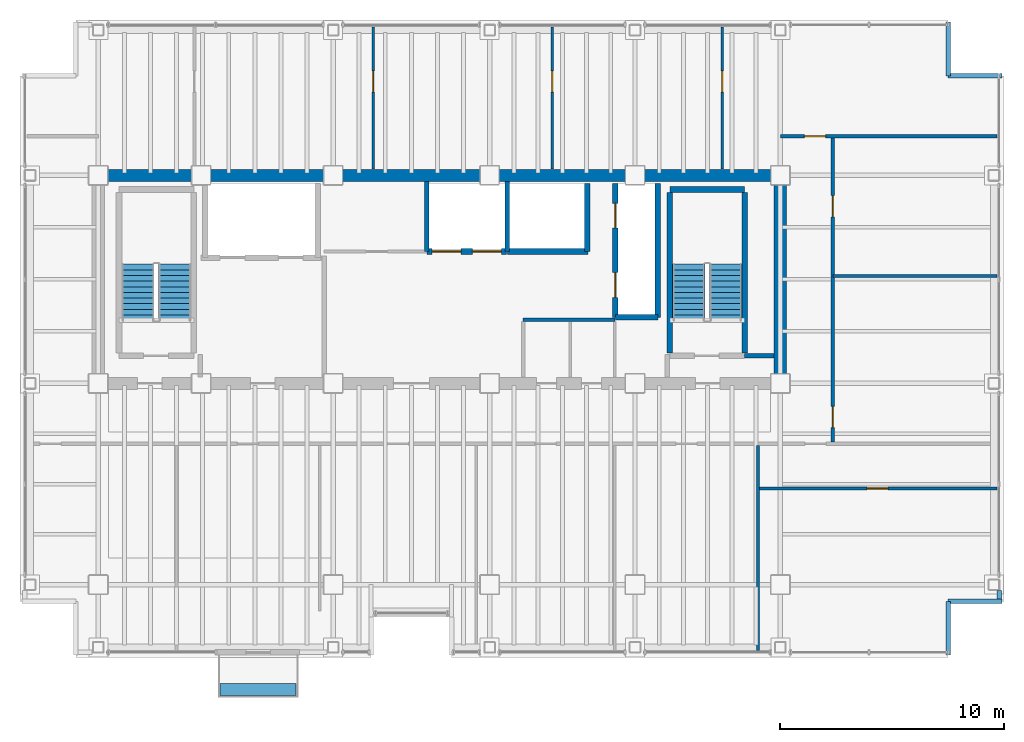
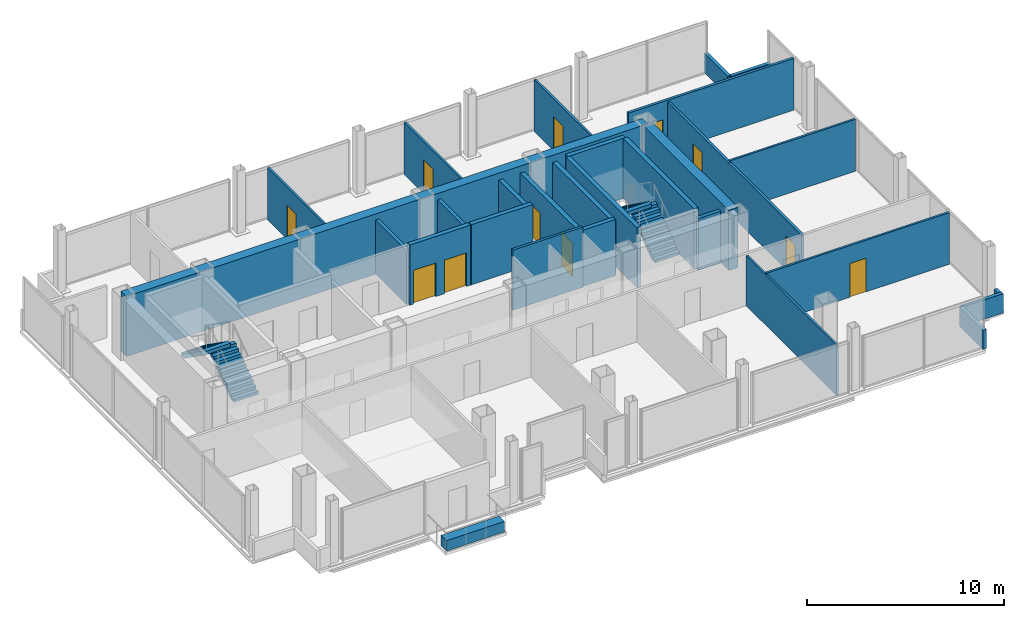
# One storey, part 14 of 15: 28 walls, 11 doors, 4 stair flights, 1 discrete accessory, 11 openings, 2 elements without a shape of their own.
"""IFC4 building model written with IfcOpenShell, lengths in metres."""

from ifc_helpers import new_model, si_unit, direction, frame, frame_2d, origin, origin_2d, place, context, subcontext, project, spatial, polyline, rectangle, outline, extrude, material, layer, layer_set, type_object, element, fill, aggregate, save


model = new_model("IFC4")

# Units and contexts
model_context = context("Model", 3, precision=1e-05, world=origin(), true_north=direction((0.0, 1.0)))
body_context = subcontext(model_context, "Body", "Model", "MODEL_VIEW")
ifc_project = project(units=[si_unit("LENGTHUNIT", "METRE"), si_unit("AREAUNIT", "SQUARE_METRE"), si_unit("VOLUMEUNIT", "CUBIC_METRE"), si_unit("PLANEANGLEUNIT", "RADIAN"), si_unit("MASSUNIT", "GRAM", prefix="KILO")], contexts=[model_context])

# Site, building, storey
site_placement = place(None, origin())
site = spatial("IfcSite", under=ifc_project, at=site_placement, CompositionType="ELEMENT")
building_placement = place(site_placement, origin())
building = spatial("IfcBuilding", under=site, at=building_placement, Name="Noeulbin Bourse Tower", CompositionType="ELEMENT")
storey_placement = place(building_placement, frame((0.0, 0.0, 173.39990234375)))
storey = spatial("IfcBuildingStorey", under=building, at=storey_placement, Name="L43", CompositionType="ELEMENT", Elevation=173.39990234375)

# Walls
ifc_material_1 = material(Name="Concrete C60/75", Category="concrete")
ifc_layer_1 = layer(ifc_material_1, 0.550048828125)
ifc_layer_set_1 = layer_set([ifc_layer_1], Name="Concrete C60/75")
wall_type_1 = type_object("IfcWallType", Name="WAL-CORE-550", PredefinedType="SHEAR", material=ifc_layer_set_1)
wall_1_placement = place(storey_placement, frame((13.5, 38.300048828125, 0.0), z_axis=(0.0, 0.0, 1.0), x_axis=(1.0, 0.0, 0.0)))
element("IfcWall", 1, at=wall_1_placement, inside=storey, type_object=wall_type_1, Name="Rear Core North Shear Wall L43", PredefinedType="SHEAR", context=body_context, shape_type="SweptSolid", body=[
    extrude(rectangle(XDim=30.5, YDim=0.550048828125, at=frame_2d((15.25, 0.0))), origin(), (0.0, 0.0, 1.0), 3.72021484375),
])
wall_2_placement = place(storey_placement, frame((44.0, 29.35009765625, 0.0), z_axis=(0.0, 0.0, 1.0), x_axis=(0.0, 1.0, 0.0)))
element("IfcWall", 2, at=wall_2_placement, inside=storey, type_object=wall_type_1, Name="Rear Core East Shear Wall L43", PredefinedType="SHEAR", context=body_context, shape_type="SweptSolid", body=[
    extrude(rectangle(XDim=8.599853515625, YDim=0.550048828125, at=frame_2d((4.2998046875, 0.0))), origin(), (0.0, 0.0, 1.0), 3.72021484375),
])
ifc_material_2 = material(Name="Concrete C40/50", Category="concrete")
ifc_layer_2 = layer(ifc_material_2, 0.199951171875)
ifc_layer_set_2 = layer_set([ifc_layer_2], Name="Concrete C40/50")
wall_type_2 = type_object("IfcWallType", Name="WAL-FIRE-200", PredefinedType="STANDARD", material=ifc_layer_set_2)
wall_3_placement = place(storey_placement, frame((42.39990234375, 30.239990234375, 0.0), z_axis=(0.0, 0.0, 1.0), x_axis=(1.0, 0.0, 0.0)))
element("IfcWall", 3, at=wall_3_placement, inside=storey, type_object=wall_type_2, Name="Interior Partition Wall L43-01", PredefinedType="STANDARD", context=body_context, shape_type="SweptSolid", body=[
    extrude(rectangle(XDim=1.315185546875, YDim=0.199951171875, at=frame_2d((0.65771484375, 0.0))), origin(), (0.0, 0.0, 1.0), 3.2001953125),
])
ifc_layer_3 = layer(ifc_material_2, 0.199951171875)
ifc_layer_set_3 = layer_set([ifc_layer_3], Name="Concrete C40/50")
wall_type_3 = type_object("IfcWallType", Name="WAL-PAR-200", PredefinedType="PARAPET", material=ifc_layer_set_3)
wall_4_placement = place(storey_placement, frame((53.780029296875, 19.35009765625, 0.0), z_axis=(0.0, 0.0, 1.0), x_axis=(0.0, 1.0, 0.0)))
element("IfcWall", 4, at=wall_4_placement, inside=storey, type_object=wall_type_3, Name="Perimeter Pier Spandrel Parapet L43-E3", PredefinedType="PARAPET", context=body_context, shape_type="SweptSolid", body=[
    extrude(rectangle(XDim=0.3798828125, YDim=0.199951171875, at=frame_2d((0.18994140625, 0.0))), origin(), (0.0, 0.0, 1.0), 1.2001953125),
])
for number, where, z_axis, x_axis, name in (
    (5, (51.5, 16.85009765625, 0.0), (0.0, 0.0, 1.0), (0.0, 1.0, 0.0), "Corner Notch Parapet L43-SE1"),
    (6, (51.5, 19.25, 0.0), (0.0, 0.0, 1.0), (1.0, 0.0, 0.0), "Corner Notch Parapet L43-SE2"),
    (7, (51.5, 45.14990234375, 0.0), (0.0, 0.0, 1.0), (0.0, -1.0, 0.0), "Corner Notch Parapet L43-NE1"),
    (8, (51.5, 42.75, 0.0), (0.0, 0.0, 1.0), (1.0, 0.0, 0.0), "Corner Notch Parapet L43-NE2"),
):
    element("IfcWall", number, at=place(storey_placement, frame(where, z_axis=z_axis, x_axis=x_axis)), inside=storey, type_object=wall_type_3, Name=name, PredefinedType="PARAPET", context=body_context, shape_type="SweptSolid", body=[
        extrude(rectangle(XDim=2.39990234375, YDim=0.199951171875, at=frame_2d((1.199951171875, 0.0))), origin(), (0.0, 0.0, 1.0), 1.2001953125),
    ])

# Wall, opening, door
ifc_material_3 = material(Name="Steel Stud Gypsum Partition", Category="steel")
ifc_layer_4 = layer(ifc_material_3, 0.1201171875)
ifc_layer_set_4 = layer_set([ifc_layer_4], Name="Steel Stud Gypsum Partition")
wall_type_4 = type_object("IfcWallType", Name="WAL-PRT-120", PredefinedType="PARTITIONING", material=ifc_layer_set_4)
wall_5_placement = place(storey_placement, frame((43.0, 24.300048828125, 0.0), z_axis=(0.0, 0.0, 1.0), x_axis=(1.0, 0.0, 0.0)))
wall_5 = element("IfcWall", 9, at=wall_5_placement, inside=storey, type_object=wall_type_4, Name="Interior Partition Wall L43-05", PredefinedType="PARTITIONING", context=body_context, shape_type="SweptSolid", body=[
    extrude(rectangle(XDim=10.68994140625, YDim=0.1201171875, at=frame_2d((5.344970703125, 0.0))), origin(), (0.0, 0.0, 1.0), 3.2001953125),
])
opening_1_placement = place(wall_5_placement, frame((4.8701171875, 0.0, 0.0)))
opening_1 = element("IfcOpeningElement", 10, at=opening_1_placement, cuts=wall_5, Name="Opening ID-09", PredefinedType="OPENING", context=body_context, shape_type="SweptSolid", body=[
    extrude(rectangle(XDim=0.949951171875, YDim=2.080078125, at=frame_2d((0.47509765625, 1.0400390625))), frame((0.0, 0.070068359375, 0.0), z_axis=(0.0, -1.0, 0.0), x_axis=(1.0, 0.0, 0.0)), (0.0, 0.0, 1.0), 0.14013671875),
])
ifc_material_4 = material(Name="Acoustic Solid-Core Timber", Category="wood")
door_type_1 = type_object("IfcDoorType", Name="DR-SINGLE-950", OperationType="SINGLE_SWING_LEFT", PredefinedType="DOOR", material=ifc_material_4)
door_1_placement = place(opening_1_placement, origin())
door_1 = element("IfcDoor", 11, at=door_1_placement, inside=storey, type_object=door_type_1, Name="Interior Door L43-13", OperationType="SINGLE_SWING_LEFT", OverallHeight=2.080078125, OverallWidth=0.949951171875, PredefinedType="DOOR", context=body_context, shape_type="SweptSolid", body=[
    extrude(rectangle(XDim=0.949951171875, YDim=2.080078125, at=frame_2d((0.47509765625, 1.0400390625))), frame((0.0, 0.02490234375, 0.0), z_axis=(0.0, -1.0, 0.0), x_axis=(1.0, 0.0, 0.0)), (0.0, 0.0, 1.0), 0.050048828125),
])
fill(opening_1, door_1)

# Walls
wall_6_placement = place(storey_placement, frame((46.35009765625, 33.800048828125, 0.0), z_axis=(0.0, 0.0, 1.0), x_axis=(1.0, 0.0, 0.0)))
element("IfcWall", 12, at=wall_6_placement, inside=storey, type_object=wall_type_4, Name="Interior Partition Wall L43-06", PredefinedType="PARTITIONING", context=body_context, shape_type="SweptSolid", body=[
    extrude(rectangle(XDim=7.33984375, YDim=0.1201171875, at=frame_2d((3.669921875, 0.0))), origin(), (0.0, 0.0, 1.0), 3.212158203125),
])
wall_7_placement = place(storey_placement, frame((43.0, 17.06005859375, 0.0), z_axis=(0.0, 0.0, 1.0), x_axis=(0.0, 1.0, 0.0)))
element("IfcWall", 13, at=wall_7_placement, inside=storey, type_object=wall_type_4, Name="Interior Partition Wall L43-20", PredefinedType="PARTITIONING", context=body_context, shape_type="SweptSolid", body=[
    extrude(rectangle(XDim=9.155029296875, YDim=0.1201171875, at=frame_2d((4.57763671875, 0.0))), origin(), (0.0, 0.0, 1.0), 3.10009765625),
])

# Wall, opening, door
wall_8_placement = place(storey_placement, frame((25.800048828125, 38.5849609375, 0.0), z_axis=(0.0, 0.0, 1.0), x_axis=(0.0, 1.0, 0.0)))
wall_8 = element("IfcWall", 14, at=wall_8_placement, inside=storey, type_object=wall_type_4, Name="Interior Partition Wall L43-22", PredefinedType="PARTITIONING", context=body_context, shape_type="SweptSolid", body=[
    extrude(rectangle(XDim=6.35498046875, YDim=0.1201171875, at=frame_2d((3.177490234375, 0.0))), origin(), (0.0, 0.0, 1.0), 3.212158203125),
])
opening_2_placement = place(wall_8_placement, frame((3.43505859375, 0.0, 0.0)))
opening_2 = element("IfcOpeningElement", 15, at=opening_2_placement, cuts=wall_8, Name="Opening ID-09", PredefinedType="OPENING", context=body_context, shape_type="SweptSolid", body=[
    extrude(rectangle(XDim=0.949951171875, YDim=2.080078125, at=frame_2d((0.47509765625, 1.0400390625))), frame((0.0, 0.070068359375, 0.0), z_axis=(0.0, -1.0, 0.0), x_axis=(1.0, 0.0, 0.0)), (0.0, 0.0, 1.0), 0.14013671875),
])
door_2_placement = place(opening_2_placement, origin())
door_2 = element("IfcDoor", 16, at=door_2_placement, inside=storey, type_object=door_type_1, Name="Interior Door L43-19", OperationType="SINGLE_SWING_LEFT", OverallHeight=2.080078125, OverallWidth=0.949951171875, PredefinedType="DOOR", context=body_context, shape_type="SweptSolid", body=[
    extrude(rectangle(XDim=0.949951171875, YDim=2.080078125, at=frame_2d((0.47509765625, 1.0400390625))), frame((0.0, 0.02490234375, 0.0), z_axis=(0.0, -1.0, 0.0), x_axis=(1.0, 0.0, 0.0)), (0.0, 0.0, 1.0), 0.050048828125),
])
fill(opening_2, door_2)

wall_9_placement = place(storey_placement, frame((33.800048828125, 38.5849609375, 0.0), z_axis=(0.0, 0.0, 1.0), x_axis=(0.0, 1.0, 0.0)))
wall_9 = element("IfcWall", 17, at=wall_9_placement, inside=storey, type_object=wall_type_4, Name="Interior Partition Wall L43-23", PredefinedType="PARTITIONING", context=body_context, shape_type="SweptSolid", body=[
    extrude(rectangle(XDim=6.35498046875, YDim=0.1201171875, at=frame_2d((3.177490234375, 0.0))), origin(), (0.0, 0.0, 1.0), 3.212158203125),
])
opening_3_placement = place(wall_9_placement, frame((3.43505859375, 0.0, 0.0)))
opening_3 = element("IfcOpeningElement", 18, at=opening_3_placement, cuts=wall_9, Name="Opening ID-09", PredefinedType="OPENING", context=body_context, shape_type="SweptSolid", body=[
    extrude(rectangle(XDim=0.949951171875, YDim=2.080078125, at=frame_2d((0.47509765625, 1.0400390625))), frame((0.0, 0.070068359375, 0.0), z_axis=(0.0, -1.0, 0.0), x_axis=(1.0, 0.0, 0.0)), (0.0, 0.0, 1.0), 0.14013671875),
])
door_3_placement = place(opening_3_placement, origin())
door_3 = element("IfcDoor", 19, at=door_3_placement, inside=storey, type_object=door_type_1, Name="Interior Door L43-20", OperationType="SINGLE_SWING_RIGHT", OverallHeight=2.080078125, OverallWidth=0.949951171875, PredefinedType="DOOR", context=body_context, shape_type="SweptSolid", body=[
    extrude(rectangle(XDim=0.949951171875, YDim=2.080078125, at=frame_2d((0.47509765625, 1.0400390625))), frame((0.0, 0.02490234375, 0.0), z_axis=(0.0, -1.0, 0.0), x_axis=(1.0, 0.0, 0.0)), (0.0, 0.0, 1.0), 0.050048828125),
])
fill(opening_3, door_3)

wall_10_placement = place(storey_placement, frame((41.39990234375, 38.5849609375, 0.0), z_axis=(0.0, 0.0, 1.0), x_axis=(0.0, 1.0, 0.0)))
wall_10 = element("IfcWall", 20, at=wall_10_placement, inside=storey, type_object=wall_type_4, Name="Interior Partition Wall L43-24", PredefinedType="PARTITIONING", context=body_context, shape_type="SweptSolid", body=[
    extrude(rectangle(XDim=6.35498046875, YDim=0.1201171875, at=frame_2d((3.177490234375, 0.0))), origin(), (0.0, 0.0, 1.0), 3.212158203125),
])
opening_4_placement = place(wall_10_placement, frame((3.43505859375, 0.0, 0.0)))
opening_4 = element("IfcOpeningElement", 21, at=opening_4_placement, cuts=wall_10, Name="Opening ID-09", PredefinedType="OPENING", context=body_context, shape_type="SweptSolid", body=[
    extrude(rectangle(XDim=0.949951171875, YDim=2.080078125, at=frame_2d((0.47509765625, 1.0400390625))), frame((0.0, 0.070068359375, 0.0), z_axis=(0.0, -1.0, 0.0), x_axis=(1.0, 0.0, 0.0)), (0.0, 0.0, 1.0), 0.14013671875),
])
door_4_placement = place(opening_4_placement, origin())
door_4 = element("IfcDoor", 22, at=door_4_placement, inside=storey, type_object=door_type_1, Name="Interior Door L43-21", OperationType="SINGLE_SWING_LEFT", OverallHeight=2.080078125, OverallWidth=0.949951171875, PredefinedType="DOOR", context=body_context, shape_type="SweptSolid", body=[
    extrude(rectangle(XDim=0.949951171875, YDim=2.080078125, at=frame_2d((0.47509765625, 1.0400390625))), frame((0.0, 0.02490234375, 0.0), z_axis=(0.0, -1.0, 0.0), x_axis=(1.0, 0.0, 0.0)), (0.0, 0.0, 1.0), 0.050048828125),
])
fill(opening_4, door_4)

# Wall
ifc_material_5 = material(Name="Steel Stud Acoustic Gypsum Board", Category="steel")
ifc_layer_5 = layer(ifc_material_5, 0.14990234375)
ifc_layer_set_5 = layer_set([ifc_layer_5], Name="Steel Stud Acoustic Gypsum Board")
wall_type_5 = type_object("IfcWallType", Name="WAL-PRT-150", PredefinedType="PARTITIONING", material=ifc_layer_set_5)
wall_11_placement = place(storey_placement, frame((32.5, 31.85009765625, 0.0), z_axis=(0.0, 0.0, 1.0), x_axis=(1.0, 0.0, 0.0)))
element("IfcWall", 23, at=wall_11_placement, inside=storey, type_object=wall_type_5, Name="Interior Partition Wall L43-03", PredefinedType="PARTITIONING", context=body_context, shape_type="SweptSolid", body=[
    extrude(rectangle(XDim=4.10009765625, YDim=0.14990234375, at=frame_2d((2.050048828125, 0.0))), origin(), (0.0, 0.0, 1.0), 3.72021484375),
])

# Wall, opening, door
wall_12_placement = place(storey_placement, frame((44.0, 40.050048828125, 0.0), z_axis=(0.0, 0.0, 1.0), x_axis=(1.0, 0.0, 0.0)))
wall_12 = element("IfcWall", 24, at=wall_12_placement, inside=storey, type_object=wall_type_5, Name="Interior Partition Wall L43-08", PredefinedType="PARTITIONING", context=body_context, shape_type="SweptSolid", body=[
    extrude(rectangle(XDim=9.68994140625, YDim=0.14990234375, at=frame_2d((4.844970703125, 0.0))), origin(), (0.0, 0.0, 1.0), 3.2001953125),
])
opening_5_placement = place(wall_12_placement, frame((1.074951171875, 0.0, 0.0)))
opening_5 = element("IfcOpeningElement", 25, at=opening_5_placement, cuts=wall_12, Name="Opening ID-09", PredefinedType="OPENING", context=body_context, shape_type="SweptSolid", body=[
    extrude(rectangle(XDim=0.949951171875, YDim=2.080078125, at=frame_2d((0.47509765625, 1.0400390625))), frame((0.0, 0.0849609375, 0.0), z_axis=(0.0, -1.0, 0.0), x_axis=(1.0, 0.0, 0.0)), (0.0, 0.0, 1.0), 0.169921875),
])
door_5_placement = place(opening_5_placement, origin())
door_5 = element("IfcDoor", 26, at=door_5_placement, inside=storey, type_object=door_type_1, Name="Interior Door L43-17", OperationType="SINGLE_SWING_LEFT", OverallHeight=2.080078125, OverallWidth=0.949951171875, PredefinedType="DOOR", context=body_context, shape_type="SweptSolid", body=[
    extrude(rectangle(XDim=0.949951171875, YDim=2.080078125, at=frame_2d((0.47509765625, 1.0400390625))), frame((0.0, 0.02490234375, 0.0), z_axis=(0.0, -1.0, 0.0), x_axis=(1.0, 0.0, 0.0)), (0.0, 0.0, 1.0), 0.050048828125),
])
fill(opening_5, door_5)

# Wall, openings, doors
wall_13_placement = place(storey_placement, frame((46.35009765625, 26.385009765625, 0.0), z_axis=(0.0, 0.0, 1.0), x_axis=(0.0, 1.0, 0.0)))
wall_13 = element("IfcWall", 27, at=wall_13_placement, inside=storey, type_object=wall_type_5, Name="Interior Partition Wall L43-15", PredefinedType="PARTITIONING", context=body_context, shape_type="SweptSolid", body=[
    extrude(rectangle(XDim=13.580078125, YDim=0.14990234375, at=frame_2d((6.7900390625, 0.0))), origin(), (0.0, 0.0, 1.0), 3.10009765625),
])
opening_6_placement = place(wall_13_placement, frame((0.639892578125, 0.0, 0.0)))
opening_6 = element("IfcOpeningElement", 28, at=opening_6_placement, cuts=wall_13, Name="Opening ID-09", PredefinedType="OPENING", context=body_context, shape_type="SweptSolid", body=[
    extrude(rectangle(XDim=0.949951171875, YDim=2.080078125, at=frame_2d((0.47509765625, 1.0400390625))), frame((0.0, 0.0849609375, 0.0), z_axis=(0.0, -1.0, 0.0), x_axis=(1.0, 0.0, 0.0)), (0.0, 0.0, 1.0), 0.169921875),
])
opening_7_placement = place(wall_13_placement, frame((10.06494140625, 0.0, 0.0)))
opening_7 = element("IfcOpeningElement", 29, at=opening_7_placement, cuts=wall_13, Name="Opening ID-09", PredefinedType="OPENING", context=body_context, shape_type="SweptSolid", body=[
    extrude(rectangle(XDim=0.949951171875, YDim=2.080078125, at=frame_2d((0.47509765625, 1.0400390625))), frame((0.0, 0.0849609375, 0.0), z_axis=(0.0, -1.0, 0.0), x_axis=(1.0, 0.0, 0.0)), (0.0, 0.0, 1.0), 0.169921875),
])
door_6_placement = place(opening_6_placement, origin())
door_6 = element("IfcDoor", 30, at=door_6_placement, inside=storey, type_object=door_type_1, Name="Interior Door L43-15", OperationType="SINGLE_SWING_LEFT", OverallHeight=2.080078125, OverallWidth=0.949951171875, PredefinedType="DOOR", context=body_context, shape_type="SweptSolid", body=[
    extrude(rectangle(XDim=0.949951171875, YDim=2.080078125, at=frame_2d((0.47509765625, 1.0400390625))), frame((0.0, 0.02490234375, 0.0), z_axis=(0.0, -1.0, 0.0), x_axis=(1.0, 0.0, 0.0)), (0.0, 0.0, 1.0), 0.050048828125),
])
fill(opening_6, door_6)
door_7_placement = place(opening_7_placement, origin())
door_7 = element("IfcDoor", 31, at=door_7_placement, inside=storey, type_object=door_type_1, Name="Interior Door L43-16", OperationType="SINGLE_SWING_RIGHT", OverallHeight=2.080078125, OverallWidth=0.949951171875, PredefinedType="DOOR", context=body_context, shape_type="SweptSolid", body=[
    extrude(rectangle(XDim=0.949951171875, YDim=2.080078125, at=frame_2d((0.47509765625, 1.0400390625))), frame((0.0, 0.02490234375, 0.0), z_axis=(0.0, -1.0, 0.0), x_axis=(1.0, 0.0, 0.0)), (0.0, 0.0, 1.0), 0.050048828125),
])
fill(opening_7, door_7)

# Walls
ifc_layer_6 = layer(ifc_material_2, 0.25)
ifc_layer_set_6 = layer_set([ifc_layer_6], Name="Concrete C40/50")
wall_type_6 = type_object("IfcWallType", Name="WAL-SHFT-250", PredefinedType="STANDARD", material=ifc_layer_set_6)
wall_14_placement = place(storey_placement, frame((39.06005859375, 37.6689453125, 0.0), z_axis=(0.0, 0.0, 1.0), x_axis=(1.0, 0.0, 0.0)))
element("IfcWall", 32, at=wall_14_placement, inside=storey, type_object=wall_type_6, Name="Stair ST-2 North Shaft Wall L43", PredefinedType="STANDARD", context=body_context, shape_type="SweptSolid", body=[
    extrude(rectangle(XDim=3.33984375, YDim=0.25, at=frame_2d((1.669921875, 0.0))), origin(), (0.0, 0.0, 1.0), 3.72021484375),
])
for number, where, z_axis, x_axis, name in (
    (33, (39.054931640625, 30.360107421875, 0.0), (0.0, 0.0, 1.0), (0.0, 1.0, 0.0), "Stair ST-2 West Shaft Wall L43"),
    (34, (42.405029296875, 30.360107421875, 0.0), (0.0, 0.0, 1.0), (0.0, 1.0, 0.0), "Stair ST-2 East Shaft Wall L43"),
):
    element("IfcWall", number, at=place(storey_placement, frame(where, z_axis=z_axis, x_axis=x_axis)), inside=storey, type_object=wall_type_6, Name=name, PredefinedType="STANDARD", context=body_context, shape_type="SweptSolid", body=[
        extrude(rectangle(XDim=7.183837890625, YDim=0.25, at=frame_2d((3.591796875, 0.0))), origin(), (0.0, 0.0, 1.0), 3.72021484375),
    ])

# Wall, openings, doors
wall_15_placement = place(storey_placement, frame((36.6201171875, 31.949951171875, 0.0), z_axis=(0.0, 0.0, 1.0), x_axis=(0.0, 1.0, 0.0)))
wall_15 = element("IfcWall", 35, at=wall_15_placement, inside=storey, type_object=wall_type_6, Name="Service Lift Shaft Wall L43", PredefinedType="STANDARD", context=body_context, shape_type="SweptSolid", body=[
    extrude(rectangle(XDim=6.0, YDim=0.25, at=frame_2d((3.0, 0.0))), origin(), (0.0, 0.0, 1.0), 3.35009765625),
])
opening_8_placement = place(wall_15_placement, frame((0.89990234375, 0.0, 0.0)))
opening_8 = element("IfcOpeningElement", 36, at=opening_8_placement, cuts=wall_15, Name="Opening LD-11", PredefinedType="OPENING", context=body_context, shape_type="SweptSolid", body=[
    extrude(rectangle(XDim=1.10009765625, YDim=2.080078125, at=frame_2d((0.550048828125, 1.0400390625))), frame((0.0, 0.135009765625, 0.0), z_axis=(0.0, -1.0, 0.0), x_axis=(1.0, 0.0, 0.0)), (0.0, 0.0, 1.0), 0.27001953125),
])
opening_9_placement = place(wall_15_placement, frame((4.0, 0.0, 0.0)))
opening_9 = element("IfcOpeningElement", 37, at=opening_9_placement, cuts=wall_15, Name="Opening LD-11", PredefinedType="OPENING", context=body_context, shape_type="SweptSolid", body=[
    extrude(rectangle(XDim=1.10009765625, YDim=2.080078125, at=frame_2d((0.550048828125, 1.0400390625))), frame((0.0, 0.135009765625, 0.0), z_axis=(0.0, -1.0, 0.0), x_axis=(1.0, 0.0, 0.0)), (0.0, 0.0, 1.0), 0.27001953125),
])
ifc_material_6 = material(Name="Brushed Stainless Steel 316", Category="steel")
door_type_2 = type_object("IfcDoorType", Name="DR-LIFT-1100", OperationType="SLIDING_TO_LEFT", PredefinedType="DOOR", material=ifc_material_6)
door_8_placement = place(opening_8_placement, origin())
door_8 = element("IfcDoor", 38, at=door_8_placement, inside=storey, type_object=door_type_2, Name="Lift Landing Door LD-EL-01-L43", OperationType="SLIDING_TO_LEFT", OverallHeight=2.080078125, OverallWidth=1.10009765625, PredefinedType="DOOR", context=body_context, shape_type="SweptSolid", body=[
    extrude(rectangle(XDim=1.10009765625, YDim=2.080078125, at=frame_2d((0.550048828125, 1.0400390625))), frame((0.0, 0.02490234375, 0.0), z_axis=(0.0, -1.0, 0.0), x_axis=(1.0, 0.0, 0.0)), (0.0, 0.0, 1.0), 0.050048828125),
])
fill(opening_8, door_8)
door_9_placement = place(opening_9_placement, origin())
door_9 = element("IfcDoor", 39, at=door_9_placement, inside=storey, type_object=door_type_2, Name="Lift Landing Door LD-SV-01-L43", OperationType="SLIDING_TO_LEFT", OverallHeight=2.080078125, OverallWidth=1.10009765625, PredefinedType="DOOR", context=body_context, shape_type="SweptSolid", body=[
    extrude(rectangle(XDim=1.10009765625, YDim=2.080078125, at=frame_2d((0.550048828125, 1.0400390625))), frame((0.0, 0.02490234375, 0.0), z_axis=(0.0, -1.0, 0.0), x_axis=(1.0, 0.0, 0.0)), (0.0, 0.0, 1.0), 0.050048828125),
])
fill(opening_9, door_9)

# Walls
wall_16_placement = place(storey_placement, frame((38.52001953125, 31.949951171875, 0.0), z_axis=(0.0, 0.0, 1.0), x_axis=(0.0, 1.0, 0.0)))
element("IfcWall", 40, at=wall_16_placement, inside=storey, type_object=wall_type_6, Name="Service Lift East Shaft Wall L43", PredefinedType="STANDARD", context=body_context, shape_type="SweptSolid", body=[
    extrude(rectangle(XDim=6.0, YDim=0.25, at=frame_2d((3.0, 0.0))), origin(), (0.0, 0.0, 1.0), 3.35009765625),
])
wall_17_placement = place(storey_placement, frame((36.6201171875, 31.949951171875, 0.0), z_axis=(0.0, 0.0, 1.0), x_axis=(1.0, 0.0, 0.0)))
element("IfcWall", 41, at=wall_17_placement, inside=storey, type_object=wall_type_6, Name="Service Lift South Shaft Wall L43", PredefinedType="STANDARD", context=body_context, shape_type="SweptSolid", body=[
    extrude(rectangle(XDim=1.89990234375, YDim=0.25, at=frame_2d((0.949951171875, 0.0))), origin(), (0.0, 0.0, 1.0), 3.47998046875),
])
wall_18_placement = place(storey_placement, frame((35.360107421875, 34.89990234375, 0.0), z_axis=(0.0, 0.0, 1.0), x_axis=(0.0, 1.0, 0.0)))
element("IfcWall", 42, at=wall_18_placement, inside=storey, type_object=wall_type_6, Name="High-Rise Lift East Shaft Wall L43", PredefinedType="STANDARD", context=body_context, shape_type="SweptSolid", body=[
    extrude(rectangle(XDim=3.050048828125, YDim=0.25, at=frame_2d((1.52490234375, 0.0))), origin(), (0.0, 0.0, 1.0), 3.35009765625),
])

# Wall, openings, doors
wall_19_placement = place(storey_placement, frame((28.199951171875, 34.89990234375, 0.0), z_axis=(0.0, 0.0, 1.0), x_axis=(1.0, 0.0, 0.0)))
wall_19 = element("IfcWall", 43, at=wall_19_placement, inside=storey, type_object=wall_type_6, Name="Mid-Rise Lift Bank Front L43", PredefinedType="STANDARD", context=body_context, shape_type="SweptSolid", body=[
    extrude(rectangle(XDim=3.550048828125, YDim=0.25, at=frame_2d((1.77490234375, 0.0))), origin(), (0.0, 0.0, 1.0), 3.72021484375),
])
opening_10_placement = place(wall_19_placement, frame((0.22998046875, 0.0, 0.0)))
opening_10 = element("IfcOpeningElement", 44, at=opening_10_placement, cuts=wall_19, Name="Opening LD-13", PredefinedType="OPENING", context=body_context, shape_type="SweptSolid", body=[
    extrude(rectangle(XDim=1.300048828125, YDim=2.080078125, at=frame_2d((0.64990234375, 1.0400390625))), frame((0.0, 0.135009765625, 0.0), z_axis=(0.0, -1.0, 0.0), x_axis=(1.0, 0.0, 0.0)), (0.0, 0.0, 1.0), 0.27001953125),
])
opening_11_placement = place(wall_19_placement, frame((2.030029296875, 0.0, 0.0)))
opening_11 = element("IfcOpeningElement", 45, at=opening_11_placement, cuts=wall_19, Name="Opening LD-13", PredefinedType="OPENING", context=body_context, shape_type="SweptSolid", body=[
    extrude(rectangle(XDim=1.300048828125, YDim=2.080078125, at=frame_2d((0.64990234375, 1.0400390625))), frame((0.0, 0.135009765625, 0.0), z_axis=(0.0, -1.0, 0.0), x_axis=(1.0, 0.0, 0.0)), (0.0, 0.0, 1.0), 0.27001953125),
])
door_type_3 = type_object("IfcDoorType", Name="DR-LIFT-1300", OperationType="DOUBLE_DOOR_SLIDING", PredefinedType="DOOR", material=ifc_material_6)
door_10_placement = place(opening_10_placement, origin())
door_10 = element("IfcDoor", 46, at=door_10_placement, inside=storey, type_object=door_type_3, Name="Lift Landing Door LD-PL-M1-L43", OperationType="DOUBLE_DOOR_SLIDING", OverallHeight=2.080078125, OverallWidth=1.300048828125, PredefinedType="DOOR", context=body_context, shape_type="SweptSolid", body=[
    extrude(rectangle(XDim=1.300048828125, YDim=2.080078125, at=frame_2d((0.64990234375, 1.0400390625))), frame((0.0, 0.02490234375, 0.0), z_axis=(0.0, -1.0, 0.0), x_axis=(1.0, 0.0, 0.0)), (0.0, 0.0, 1.0), 0.050048828125),
])
fill(opening_10, door_10)
door_11_placement = place(opening_11_placement, origin())
door_11 = element("IfcDoor", 47, at=door_11_placement, inside=storey, type_object=door_type_3, Name="Lift Landing Door LD-PL-M2-L43", OperationType="DOUBLE_DOOR_SLIDING", OverallHeight=2.080078125, OverallWidth=1.300048828125, PredefinedType="DOOR", context=body_context, shape_type="SweptSolid", body=[
    extrude(rectangle(XDim=1.300048828125, YDim=2.080078125, at=frame_2d((0.64990234375, 1.0400390625))), frame((0.0, 0.02490234375, 0.0), z_axis=(0.0, -1.0, 0.0), x_axis=(1.0, 0.0, 0.0)), (0.0, 0.0, 1.0), 0.050048828125),
])
fill(opening_11, door_11)

# Walls
wall_20_placement = place(storey_placement, frame((31.800048828125, 34.89990234375, 0.0), z_axis=(0.0, 0.0, 1.0), x_axis=(1.0, 0.0, 0.0)))
element("IfcWall", 48, at=wall_20_placement, inside=storey, type_object=wall_type_6, Name="High-Rise Lift Bank Front L43", PredefinedType="STANDARD", context=body_context, shape_type="SweptSolid", body=[
    extrude(rectangle(XDim=3.599853515625, YDim=0.25, at=frame_2d((1.7998046875, 0.0))), origin(), (0.0, 0.0, 1.0), 3.72021484375),
])
for number, where, z_axis, x_axis, name in (
    (49, (28.179931640625, 34.89990234375, 0.0), (0.0, 0.0, 1.0), (0.0, 1.0, 0.0), "Hoistway Side Shaft Wall L43-PLMW"),
    (50, (31.780029296875, 34.89990234375, 0.0), (0.0, 0.0, 1.0), (0.0, 1.0, 0.0), "Hoistway Side Shaft Wall L43-PLHW"),
):
    element("IfcWall", number, at=place(storey_placement, frame(where, z_axis=z_axis, x_axis=x_axis)), inside=storey, type_object=wall_type_6, Name=name, PredefinedType="STANDARD", context=body_context, shape_type="SweptSolid", body=[
        extrude(rectangle(XDim=3.1201171875, YDim=0.199951171875, at=frame_2d((1.56005859375, 0.0))), origin(), (0.0, 0.0, 1.0), 3.35009765625),
    ])

# Stair, stair flights
stair_type = type_object("IfcStairType", Name="STR-CORE-1560", PredefinedType="HALF_TURN_STAIR", material=ifc_material_2)
stair_1_placement = place(storey_placement, origin())
stair_1 = element("IfcStair", 51, at=stair_1_placement, inside=storey, type_object=stair_type, Name="L43 ST-1", PredefinedType="HALF_TURN_STAIR")
stair_flight_type = type_object("IfcStairFlightType", Name="SFL-CORE-1560", PredefinedType="STRAIGHT", material=ifc_material_2)
stair_flight_1_placement = place(storey_placement, frame((16.925048828125, 31.81005859375, 0.0), z_axis=(0.0, 0.0, 1.0), x_axis=(0.0, 1.0, 0.0)))
stair_flight_1 = element("IfcStairFlight", 52, at=stair_flight_1_placement, type_object=stair_flight_type, Name="ST-1 flight 1", NumberOfRisers=11, NumberOfTreads=10, PredefinedType="STRAIGHT", RiserHeight=0.177272727, TreadLength=0.252, context=body_context, shape_type="SweptSolid", body=[
    extrude(outline(polyline([(0.0, 0.0), (0.0, 0.17724609375), (0.251953125, 0.17724609375), (0.251953125, 0.3544921875), (0.50390625, 0.3544921875), (0.50390625, 0.53173828125), (0.756103515625, 0.53173828125), (0.756103515625, 0.708984375), (1.008056640625, 0.708984375), (1.008056640625, 0.886474609375), (1.260009765625, 0.886474609375), (1.260009765625, 1.063720703125), (1.511962890625, 1.063720703125), (1.511962890625, 1.240966796875), (1.763916015625, 1.240966796875), (1.763916015625, 1.418212890625), (2.01611328125, 1.418212890625), (2.01611328125, 1.595458984375), (2.26806640625, 1.595458984375), (2.26806640625, 1.772705078125), (2.52001953125, 1.772705078125), (2.52001953125, 1.949951171875), (2.52001953125, 1.552734375), (0.312744140625, 0.0), (0.0, 0.0)])), frame((0.0, 0.72509765625, 0.0), z_axis=(0.0, -1.0, 0.0), x_axis=(1.0, 0.0, 0.0)), (0.0, 0.0, 1.0), 1.449951171875),
])
stair_flight_2_placement = place(storey_placement, frame((15.27490234375, 34.330078125, 1.9501953125), z_axis=(0.0, 0.0, 1.0), x_axis=(0.0, -1.0, 0.0)))
stair_flight_2 = element("IfcStairFlight", 53, at=stair_flight_2_placement, type_object=stair_flight_type, Name="ST-1 flight 2", NumberOfRisers=11, NumberOfTreads=10, PredefinedType="STRAIGHT", RiserHeight=0.177272727, TreadLength=0.252, context=body_context, shape_type="SweptSolid", body=[
    extrude(outline(polyline([(0.0, 0.0), (0.0, 0.17724609375), (0.251953125, 0.17724609375), (0.251953125, 0.3544921875), (0.50390625, 0.3544921875), (0.50390625, 0.53173828125), (0.756103515625, 0.53173828125), (0.756103515625, 0.708984375), (1.008056640625, 0.708984375), (1.008056640625, 0.886474609375), (1.260009765625, 0.886474609375), (1.260009765625, 1.063720703125), (1.511962890625, 1.063720703125), (1.511962890625, 1.240966796875), (1.763916015625, 1.240966796875), (1.763916015625, 1.418212890625), (2.01611328125, 1.418212890625), (2.01611328125, 1.595458984375), (2.26806640625, 1.595458984375), (2.26806640625, 1.772705078125), (2.52001953125, 1.772705078125), (2.52001953125, 1.949951171875), (2.52001953125, 1.552734375), (0.312744140625, 0.0), (0.0, 0.0)])), frame((0.0, 0.72509765625, 0.0), z_axis=(0.0, -1.0, 0.0), x_axis=(1.0, 0.0, 0.0)), (0.0, 0.0, 1.0), 1.449951171875),
])
aggregate(stair_1, [stair_flight_1, stair_flight_2])

stair_2_placement = place(storey_placement, origin())
stair_2 = element("IfcStair", 54, at=stair_2_placement, inside=storey, type_object=stair_type, Name="L43 ST-2", PredefinedType="HALF_TURN_STAIR")
stair_flight_3_placement = place(storey_placement, frame((41.554931640625, 31.81005859375, 0.0), z_axis=(0.0, 0.0, 1.0), x_axis=(0.0, 1.0, 0.0)))
stair_flight_3 = element("IfcStairFlight", 55, at=stair_flight_3_placement, type_object=stair_flight_type, Name="ST-2 flight 1", NumberOfRisers=11, NumberOfTreads=10, PredefinedType="STRAIGHT", RiserHeight=0.177272727, TreadLength=0.252, context=body_context, shape_type="SweptSolid", body=[
    extrude(outline(polyline([(0.0, 0.0), (0.0, 0.17724609375), (0.251953125, 0.17724609375), (0.251953125, 0.3544921875), (0.50390625, 0.3544921875), (0.50390625, 0.53173828125), (0.756103515625, 0.53173828125), (0.756103515625, 0.708984375), (1.008056640625, 0.708984375), (1.008056640625, 0.886474609375), (1.260009765625, 0.886474609375), (1.260009765625, 1.063720703125), (1.511962890625, 1.063720703125), (1.511962890625, 1.240966796875), (1.763916015625, 1.240966796875), (1.763916015625, 1.418212890625), (2.01611328125, 1.418212890625), (2.01611328125, 1.595458984375), (2.26806640625, 1.595458984375), (2.26806640625, 1.772705078125), (2.52001953125, 1.772705078125), (2.52001953125, 1.949951171875), (2.52001953125, 1.552734375), (0.312744140625, 0.0), (0.0, 0.0)])), frame((0.0, 0.72509765625, 0.0), z_axis=(0.0, -1.0, 0.0), x_axis=(1.0, 0.0, 0.0)), (0.0, 0.0, 1.0), 1.449951171875),
])
stair_flight_4_placement = place(storey_placement, frame((39.905029296875, 34.330078125, 1.9501953125), z_axis=(0.0, 0.0, 1.0), x_axis=(0.0, -1.0, 0.0)))
stair_flight_4 = element("IfcStairFlight", 56, at=stair_flight_4_placement, type_object=stair_flight_type, Name="ST-2 flight 2", NumberOfRisers=11, NumberOfTreads=10, PredefinedType="STRAIGHT", RiserHeight=0.177272727, TreadLength=0.252, context=body_context, shape_type="SweptSolid", body=[
    extrude(outline(polyline([(0.0, 0.0), (0.0, 0.17724609375), (0.251953125, 0.17724609375), (0.251953125, 0.3544921875), (0.50390625, 0.3544921875), (0.50390625, 0.53173828125), (0.756103515625, 0.53173828125), (0.756103515625, 0.708984375), (1.008056640625, 0.708984375), (1.008056640625, 0.886474609375), (1.260009765625, 0.886474609375), (1.260009765625, 1.063720703125), (1.511962890625, 1.063720703125), (1.511962890625, 1.240966796875), (1.763916015625, 1.240966796875), (1.763916015625, 1.418212890625), (2.01611328125, 1.418212890625), (2.01611328125, 1.595458984375), (2.26806640625, 1.595458984375), (2.26806640625, 1.772705078125), (2.52001953125, 1.772705078125), (2.52001953125, 1.949951171875), (2.52001953125, 1.552734375), (0.312744140625, 0.0), (0.0, 0.0)])), frame((0.0, 0.72509765625, 0.0), z_axis=(0.0, -1.0, 0.0), x_axis=(1.0, 0.0, 0.0)), (0.0, 0.0, 1.0), 1.449951171875),
])
aggregate(stair_2, [stair_flight_3, stair_flight_4])

# Discrete accessory
ifc_material_7 = material(Name="Architectural GFRC Concrete C40/50", Category="concrete")
ifc_layer_7 = layer(ifc_material_7, 0.64990234375)
ifc_layer_set_7 = layer_set([ifc_layer_7], Name="Architectural GFRC Concrete C40/50")
discrete_accessory_type = type_object("IfcDiscreteAccessoryType", Name="PLANTER-BOX-3600", PredefinedType="USERDEFINED", material=ifc_layer_set_7)
discrete_accessory_placement = place(storey_placement, frame((20.64990234375, 15.31005859375, 0.000244140625), z_axis=(0.0, 0.0, 1.0), x_axis=(1.0, 0.0, 0.0)))
element("IfcDiscreteAccessory", 57, at=discrete_accessory_placement, inside=storey, type_object=discrete_accessory_type, Name="Integrated Balcony Tree Planter Box L43", ObjectType="PLANTER", PredefinedType="USERDEFINED", context=body_context, shape_type="SweptSolid", body=[
    extrude(rectangle(XDim=3.39990234375, YDim=0.550048828125, at=origin_2d()), origin(), (0.0, 0.0, 1.0), 0.64990234375),
])

save(model, "model.ifc")
